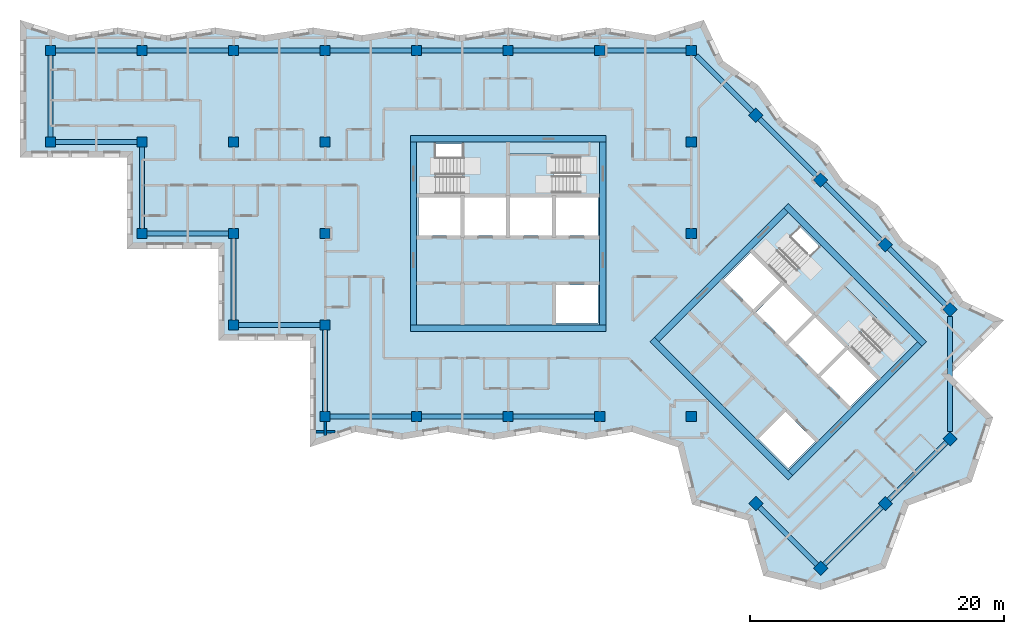
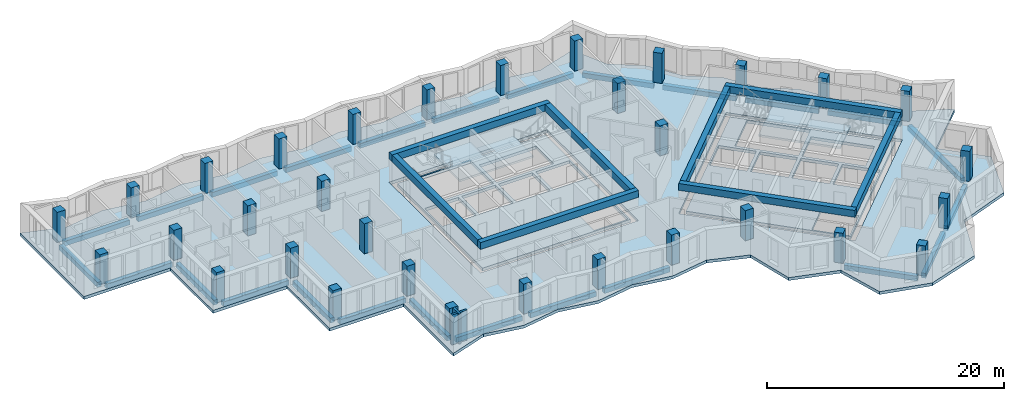
# One storey, part 1 of 13: 33 beams, 32 columns, 7 slabs, 2 walls, 16 openings, 4 elements without a shape of their own.
"""IFC4 building model written with IfcOpenShell, lengths in metres."""

from ifc_helpers import new_model, si_unit, direction, frame, frame_2d, origin, origin_2d, place, context, subcontext, project, spatial, polyline, rectangle, outline, extrude, material, layer, layer_set, material_profile, profile_set, type_object, element, aggregate, save


model = new_model("IFC4")

# Units and contexts
model_context = context("Model", 3, precision=1e-05, world=origin(), true_north=direction((0.0, 1.0)))
body_context = subcontext(model_context, "Body", "Model", "MODEL_VIEW")
ifc_project = project(units=[si_unit("LENGTHUNIT", "METRE"), si_unit("AREAUNIT", "SQUARE_METRE"), si_unit("VOLUMEUNIT", "CUBIC_METRE"), si_unit("PLANEANGLEUNIT", "RADIAN"), si_unit("MASSUNIT", "GRAM", prefix="KILO")], contexts=[model_context])

# Site, building, storey
site_placement = place(None, origin())
site = spatial("IfcSite", under=ifc_project, at=site_placement, CompositionType="ELEMENT")
building_placement = place(site_placement, origin())
building = spatial("IfcBuilding", under=site, at=building_placement, Name="Windrow Commons", CompositionType="ELEMENT")
storey_placement = place(building_placement, frame((0.0, 0.0, 223.6)))
storey = spatial("IfcBuildingStorey", under=building, at=storey_placement, Name="L61", CompositionType="ELEMENT", Elevation=223.6)

# Columns
ifc_material_1 = material(Name="Concrete C50/60", Category="concrete")
ifc_material_profile_1 = material_profile(ifc_material_1, rectangle(XDim=0.8, YDim=0.8, at=origin_2d()))
ifc_profile_set_1 = profile_set([ifc_material_profile_1], Name="Concrete C50/60")
column_type = type_object("IfcColumnType", Name="RC COLUMN 800x800 C50/60", PredefinedType="COLUMN", material=ifc_profile_set_1)
for number, where, z_axis, x_axis, name in (
    (1, (28.8, 64.8, 0.0), (0.0, 0.0, 1.0), (1.0, 0.0, 0.0), "C-Z4-05I"),
    (2, (28.8, 72.0, 0.0), (0.0, 0.0, 1.0), (1.0, 0.0, 0.0), "C-Z4-05J"),
    (3, (36.0, 57.6, 0.0), (0.0, 0.0, 1.0), (1.0, 0.0, 0.0), "C-Z4-06H"),
    (4, (36.0, 64.8, 0.0), (0.0, 0.0, 1.0), (1.0, 0.0, 0.0), "C-Z4-06I"),
    (5, (36.0, 72.0, 0.0), (0.0, 0.0, 1.0), (1.0, 0.0, 0.0), "C-Z4-06J"),
    (6, (43.2, 50.4, 0.0), (0.0, 0.0, 1.0), (1.0, 0.0, 0.0), "C-Z4-07G"),
    (7, (43.2, 57.6, 0.0), (0.0, 0.0, 1.0), (1.0, 0.0, 0.0), "C-Z4-07H"),
    (8, (43.2, 64.8, 0.0), (0.0, 0.0, 1.0), (1.0, 0.0, 0.0), "C-Z4-07I"),
    (9, (43.2, 72.0, 0.0), (0.0, 0.0, 1.0), (1.0, 0.0, 0.0), "C-Z4-07J"),
    (10, (50.4, 43.2, 0.0), (0.0, 0.0, 1.0), (1.0, 0.0, 0.0), "C-Z4-08F"),
    (11, (50.4, 50.4, 0.0), (0.0, 0.0, 1.0), (1.0, 0.0, 0.0), "C-Z4-08G"),
    (12, (50.4, 57.6, 0.0), (0.0, 0.0, 1.0), (1.0, 0.0, 0.0), "C-Z4-08H"),
    (13, (50.4, 64.8, 0.0), (0.0, 0.0, 1.0), (1.0, 0.0, 0.0), "C-Z4-08I"),
    (14, (50.4, 72.0, 0.0), (0.0, 0.0, 1.0), (1.0, 0.0, 0.0), "C-Z4-08J"),
    (15, (57.6, 43.2, 0.0), (0.0, 0.0, 1.0), (1.0, 0.0, 0.0), "C-Z4-09F"),
    (16, (57.6, 72.0, 0.0), (0.0, 0.0, 1.0), (1.0, 0.0, 0.0), "C-Z4-09J"),
    (17, (64.8, 43.2, 0.0), (0.0, 0.0, 1.0), (1.0, 0.0, 0.0), "C-Z4-10F"),
    (18, (64.8, 72.0, 0.0), (0.0, 0.0, 1.0), (1.0, 0.0, 0.0), "C-Z4-10J"),
    (19, (72.0, 43.2, 0.0), (0.0, 0.0, 1.0), (1.0, 0.0, 0.0), "C-Z4-11F"),
    (20, (72.0, 72.0, 0.0), (0.0, 0.0, 1.0), (1.0, 0.0, 0.0), "C-Z4-11J"),
    (21, (79.2, 43.2, 0.0), (0.0, 0.0, 1.0), (1.0, 0.0, 0.0), "C-Z4-12F"),
    (22, (79.2, 57.6, 0.0), (0.0, 0.0, 1.0), (1.0, 0.0, 0.0), "C-Z4-12H"),
    (23, (79.2, 64.8, 0.0), (0.0, 0.0, 1.0), (1.0, 0.0, 0.0), "C-Z4-12I"),
    (24, (79.2, 72.0, 0.0), (0.0, 0.0, 1.0), (1.0, 0.0, 0.0), "C-Z4-12J"),
    (25, (84.2912, 66.9088, 0.0), (0.0, 0.0, 1.0), (0.7071067812, -0.7071067812, 0.0), "C-Z4-P2Q"),
    (26, (89.3823, 61.8177, 0.0), (0.0, 0.0, 1.0), (0.7071067812, -0.7071067812, 0.0), "C-Z4-P3Q"),
    (27, (94.4735, 56.7265, 0.0), (0.0, 0.0, 1.0), (0.7071067812, -0.7071067812, 0.0), "C-Z4-P4Q"),
    (28, (99.5647, 51.6353, 0.0), (0.0, 0.0, 1.0), (0.7071067812, -0.7071067812, 0.0), "C-Z4-P5Q"),
    (29, (84.2912, 36.3618, 0.0), (0.0, 0.0, 1.0), (0.7071067812, -0.7071067812, 0.0), "C-Z4-P5T"),
    (30, (99.5647, 41.453, 0.0), (0.0, 0.0, 1.0), (0.7071067812, -0.7071067812, 0.0), "C-Z4-P6R"),
    (31, (94.4735, 36.3618, 0.0), (0.0, 0.0, 1.0), (0.7071067812, -0.7071067812, 0.0), "C-Z4-P6S"),
    (32, (89.3823, 31.2706, 0.0), (0.0, 0.0, 1.0), (0.7071067812, -0.7071067812, 0.0), "C-Z4-P6T"),
):
    element("IfcColumn", number, at=place(storey_placement, frame(where, z_axis=z_axis, x_axis=x_axis)), inside=storey, type_object=column_type, Name=name, PredefinedType="COLUMN", context=body_context, shape_type="SweptSolid", body=[
        extrude(rectangle(XDim=0.8, YDim=0.8, at=origin_2d()), origin(), (0.0, 0.0, 1.0), 3.1),
    ])

# Beams
ifc_material_2 = material(Name="Concrete C40/50", Category="concrete")
ifc_material_profile_2 = material_profile(ifc_material_2, rectangle(XDim=0.5, YDim=0.7, at=origin_2d()))
ifc_profile_set_2 = profile_set([ifc_material_profile_2], Name="Concrete C40/50")
beam_type_1 = type_object("IfcBeamType", Name="RC COUPLING BEAM 500x700 C40/50", PredefinedType="LINTEL", material=ifc_profile_set_2)
for number, where, z_axis, x_axis, name in (
    (33, (57.1, 50.15, 2.75), (1.0, 0.0, 0.0), (0.0, 1.0, 0.0), "Core A coupling beam outer-S"),
    (34, (57.1, 65.05, 2.75), (1.0, 0.0, 0.0), (0.0, 1.0, 0.0), "Core A coupling beam outer-N"),
):
    element("IfcBeam", number, at=place(storey_placement, frame(where, z_axis=z_axis, x_axis=x_axis)), inside=storey, type_object=beam_type_1, Name=name, PredefinedType="LINTEL", context=body_context, shape_type="SweptSolid", body=[
        extrude(rectangle(XDim=0.5, YDim=0.7, at=origin_2d()), origin(), (0.0, 0.0, 1.0), 15.4),
    ])
for number, where, z_axis, x_axis, name in (
    (35, (57.35, 50.4, 2.75), (0.0, 1.0, 0.0), (-1.0, 0.0, 0.0), "Core A coupling beam outer-W"),
    (36, (72.25, 50.4, 2.75), (0.0, 1.0, 0.0), (-1.0, 0.0, 0.0), "Core A coupling beam outer-E"),
):
    element("IfcBeam", number, at=place(storey_placement, frame(where, z_axis=z_axis, x_axis=x_axis)), inside=storey, type_object=beam_type_1, Name=name, PredefinedType="LINTEL", context=body_context, shape_type="SweptSolid", body=[
        extrude(rectangle(XDim=0.5, YDim=0.7, at=origin_2d()), origin(), (0.0, 0.0, 1.0), 14.4),
    ])
for number, where, z_axis, x_axis, name in (
    (37, (76.1241, 49.2665, 2.75), (0.7071067812, -0.7071067812, 0.0), (0.7071067812, 0.7071067812, 0.0), "Core B coupling beam outer-S"),
    (38, (86.66, 59.8024, 2.75), (0.7071067812, -0.7071067812, 0.0), (0.7071067812, 0.7071067812, 0.0), "Core B coupling beam outer-N"),
):
    element("IfcBeam", number, at=place(storey_placement, frame(where, z_axis=z_axis, x_axis=x_axis)), inside=storey, type_object=beam_type_1, Name=name, PredefinedType="LINTEL", context=body_context, shape_type="SweptSolid", body=[
        extrude(rectangle(XDim=0.5, YDim=0.7, at=origin_2d()), origin(), (0.0, 0.0, 1.0), 15.3999),
    ])
for number, where, z_axis, x_axis, name in (
    (39, (76.4776, 49.2665, 2.75), (0.7071067812, 0.7071067812, 0.0), (-0.7071067812, 0.7071067812, 0.0), "Core B coupling beam outer-W"),
    (40, (87.0135, 38.7306, 2.75), (0.7071067812, 0.7071067812, 0.0), (-0.7071067812, 0.7071067812, 0.0), "Core B coupling beam outer-E"),
):
    element("IfcBeam", number, at=place(storey_placement, frame(where, z_axis=z_axis, x_axis=x_axis)), inside=storey, type_object=beam_type_1, Name=name, PredefinedType="LINTEL", context=body_context, shape_type="SweptSolid", body=[
        extrude(rectangle(XDim=0.5, YDim=0.7, at=origin_2d()), origin(), (0.0, 0.0, 1.0), 14.4001),
    ])
ifc_material_3 = material(Name="Concrete C40/50", Category="concrete")
ifc_material_profile_3 = material_profile(ifc_material_3, rectangle(XDim=0.4, YDim=0.5, at=origin_2d()))
ifc_profile_set_3 = profile_set([ifc_material_profile_3], Name="Concrete C40/50")
beam_type_2 = type_object("IfcBeamType", Name="RC EDGE BEAM 400x500 C40/50", PredefinedType="SPANDREL", material=ifc_profile_set_3)
for number, where, z_axis, x_axis, name in (
    (41, (57.2, 43.2, -0.55), (-1.0, 0.0, 0.0), (0.0, -1.0, 0.0), "Edge beam L61 001"),
    (42, (50.4, 43.6, -0.55), (0.0, 1.0, 0.0), (-1.0, 0.0, 0.0), "Edge beam L61 002"),
    (43, (50.0, 50.4, -0.55), (-1.0, 0.0, 0.0), (0.0, -1.0, 0.0), "Edge beam L61 003"),
    (44, (43.2, 50.8, -0.55), (0.0, 1.0, 0.0), (-1.0, 0.0, 0.0), "Edge beam L61 004"),
    (45, (42.8, 57.6, -0.55), (-1.0, 0.0, 0.0), (0.0, -1.0, 0.0), "Edge beam L61 005"),
    (46, (36.0, 58.0, -0.55), (0.0, 1.0, 0.0), (-1.0, 0.0, 0.0), "Edge beam L61 006"),
    (47, (35.6, 64.8, -0.55), (-1.0, 0.0, 0.0), (0.0, -1.0, 0.0), "Edge beam L61 007"),
    (48, (28.8, 65.2, -0.55), (0.0, 1.0, 0.0), (-1.0, 0.0, 0.0), "Edge beam L61 008"),
    (49, (29.2, 72.0, -0.55), (1.0, 0.0, 0.0), (0.0, 1.0, 0.0), "Edge beam L61 009"),
    (50, (36.4, 72.0, -0.55), (1.0, 0.0, 0.0), (0.0, 1.0, 0.0), "Edge beam L61 010"),
    (51, (43.6, 72.0, -0.55), (1.0, 0.0, 0.0), (0.0, 1.0, 0.0), "Edge beam L61 011"),
    (52, (50.8, 72.0, -0.55), (1.0, 0.0, 0.0), (0.0, 1.0, 0.0), "Edge beam L61 012"),
    (53, (58.0, 72.0, -0.55), (1.0, 0.0, 0.0), (0.0, 1.0, 0.0), "Edge beam L61 013"),
    (54, (65.2, 72.0, -0.55), (1.0, 0.0, 0.0), (0.0, 1.0, 0.0), "Edge beam L61 014"),
    (55, (72.4, 72.0, -0.55), (1.0, 0.0, 0.0), (0.0, 1.0, 0.0), "Edge beam L61 015"),
):
    element("IfcBeam", number, at=place(storey_placement, frame(where, z_axis=z_axis, x_axis=x_axis)), inside=storey, type_object=beam_type_2, Name=name, PredefinedType="SPANDREL", context=body_context, shape_type="SweptSolid", body=[
        extrude(rectangle(XDim=0.4, YDim=0.5, at=origin_2d()), origin(), (0.0, 0.0, 1.0), 6.4),
    ])
beam_1_placement = place(storey_placement, frame((79.6, 71.6, -0.55), z_axis=(0.7071067812, -0.7071067812, 0.0), x_axis=(0.7071067812, 0.7071067812, 0.0)))
element("IfcBeam", 56, at=beam_1_placement, inside=storey, type_object=beam_type_2, Name="Edge beam L61 016", PredefinedType="SPANDREL", context=body_context, shape_type="SweptSolid", body=[
    extrude(rectangle(XDim=0.4, YDim=0.5, at=origin_2d()), origin(), (0.0, 0.0, 1.0), 6.2344),
])
beam_2_placement = place(storey_placement, frame((84.574, 66.626, -0.55), z_axis=(0.7071067812, -0.7071067812, 0.0), x_axis=(0.7071067812, 0.7071067812, 0.0)))
element("IfcBeam", 57, at=beam_2_placement, inside=storey, type_object=beam_type_2, Name="Edge beam L61 017", PredefinedType="SPANDREL", context=body_context, shape_type="SweptSolid", body=[
    extrude(rectangle(XDim=0.4, YDim=0.5, at=origin_2d()), origin(), (0.0, 0.0, 1.0), 6.4),
])
for number, where, z_axis, x_axis, name in (
    (58, (89.6651, 61.5349, -0.55), (0.7071067812, -0.7071067812, 0.0), (0.7071067812, 0.7071067812, 0.0), "Edge beam L61 018"),
    (59, (94.7563, 56.4437, -0.55), (0.7071067812, -0.7071067812, 0.0), (0.7071067812, 0.7071067812, 0.0), "Edge beam L61 019"),
):
    element("IfcBeam", number, at=place(storey_placement, frame(where, z_axis=z_axis, x_axis=x_axis)), inside=storey, type_object=beam_type_2, Name=name, PredefinedType="SPANDREL", context=body_context, shape_type="SweptSolid", body=[
        extrude(rectangle(XDim=0.4, YDim=0.5, at=origin_2d()), origin(), (0.0, 0.0, 1.0), 6.4002),
    ])
beam_3_placement = place(storey_placement, frame((99.5647, 51.0696, -0.55), z_axis=(0.0, -1.0, 0.0), x_axis=(1.0, 0.0, 0.0)))
element("IfcBeam", 60, at=beam_3_placement, inside=storey, type_object=beam_type_2, Name="Edge beam L61 020", PredefinedType="SPANDREL", context=body_context, shape_type="SweptSolid", body=[
    extrude(rectangle(XDim=0.4, YDim=0.5, at=origin_2d()), origin(), (0.0, 0.0, 1.0), 9.0509),
])
for number, where, z_axis, x_axis, name in (
    (61, (99.2819, 41.1702, -0.55), (-0.7071067812, -0.7071067812, 0.0), (0.7071067812, -0.7071067812, 0.0), "Edge beam L61 021"),
    (62, (94.1907, 36.079, -0.55), (-0.7071067812, -0.7071067812, 0.0), (0.7071067812, -0.7071067812, 0.0), "Edge beam L61 022"),
):
    element("IfcBeam", number, at=place(storey_placement, frame(where, z_axis=z_axis, x_axis=x_axis)), inside=storey, type_object=beam_type_2, Name=name, PredefinedType="SPANDREL", context=body_context, shape_type="SweptSolid", body=[
        extrude(rectangle(XDim=0.4, YDim=0.5, at=origin_2d()), origin(), (0.0, 0.0, 1.0), 6.4002),
    ])
beam_4_placement = place(storey_placement, frame((89.0995, 31.5534, -0.55), z_axis=(-0.7070989688, 0.7071145935, 0.0), x_axis=(-0.7071145935, -0.7070989688, 0.0)))
element("IfcBeam", 63, at=beam_4_placement, inside=storey, type_object=beam_type_2, Name="Edge beam L61 023", PredefinedType="SPANDREL", context=body_context, shape_type="SweptSolid", body=[
    extrude(rectangle(XDim=0.4, YDim=0.5, at=origin_2d()), origin(), (0.0, 0.0, 1.0), 6.4001),
])
for number, where, z_axis, x_axis, name in (
    (64, (71.6, 43.2, -0.55), (-1.0, 0.0, 0.0), (0.0, -1.0, 0.0), "Edge beam L61 024"),
    (65, (64.4, 43.2, -0.55), (-1.0, 0.0, 0.0), (0.0, -1.0, 0.0), "Edge beam L61 025"),
):
    element("IfcBeam", number, at=place(storey_placement, frame(where, z_axis=z_axis, x_axis=x_axis)), inside=storey, type_object=beam_type_2, Name=name, PredefinedType="SPANDREL", context=body_context, shape_type="SweptSolid", body=[
        extrude(rectangle(XDim=0.4, YDim=0.5, at=origin_2d()), origin(), (0.0, 0.0, 1.0), 6.4),
    ])

# Slab, openings
ifc_material_4 = material(Name="Concrete C40/50", Category="concrete")
ifc_layer_1 = layer(ifc_material_4, 0.3)
ifc_layer_set_1 = layer_set([ifc_layer_1], Name="CORE FLOOR SLAB 300 C40/50")
slab_type_1 = type_object("IfcSlabType", Name="CORE FLOOR SLAB 300 C40/50", PredefinedType="FLOOR", material=ifc_layer_set_1)
placement_1 = place(storey_placement, frame((0.0, 0.0, -0.3)))
slab_1 = element("IfcSlab", 66, at=placement_1, inside=storey, type_object=slab_type_1, Name="S-L61-core-A", PredefinedType="FLOOR", context=body_context, shape_type="SweptSolid", body=[
    extrude(outline(polyline([(57.6, 50.4), (72.0, 50.4), (72.0, 64.8), (57.6, 64.8), (57.6, 50.4)]), holes=[polyline([(68.55, 50.55), (71.85, 50.55), (71.85, 53.55), (68.55, 53.55), (68.55, 50.55)]), polyline([(57.75, 57.45), (61.05, 57.45), (61.05, 60.45), (57.75, 60.45), (57.75, 57.45)]), polyline([(61.35, 57.45), (64.65, 57.45), (64.65, 60.45), (61.35, 60.45), (61.35, 57.45)]), polyline([(64.95, 57.45), (68.25, 57.45), (68.25, 60.45), (64.95, 60.45), (64.95, 57.45)]), polyline([(68.55, 57.45), (71.85, 57.45), (71.85, 60.45), (68.55, 60.45), (68.55, 57.45)]), polyline([(59.1, 60.75), (64.65, 60.75), (64.65, 64.65), (59.1, 64.65), (59.1, 60.75)]), polyline([(64.95, 60.75), (70.5, 60.75), (70.5, 63.705), (64.95, 63.705), (64.95, 60.75)])]), origin(), (0.0, 0.0, 1.0), 0.3),
])
opening_1_placement = place(placement_1, origin())
element("IfcOpeningElement", 67, at=opening_1_placement, cuts=slab_1, Name="Slab opening S-L61-core-A 1", PredefinedType="OPENING", context=body_context, shape_type="SweptSolid", body=[
    extrude(outline(polyline([(68.555, 50.555), (68.555, 53.545), (71.845, 53.545), (71.845, 50.555), (68.555, 50.555)])), origin(), (0.0, 0.0, 1.0), 0.3),
])
opening_2_placement = place(placement_1, origin())
element("IfcOpeningElement", 68, at=opening_2_placement, cuts=slab_1, Name="Slab opening S-L61-core-A 2", PredefinedType="OPENING", context=body_context, shape_type="SweptSolid", body=[
    extrude(outline(polyline([(57.755, 57.455), (57.755, 60.445), (61.045, 60.445), (61.045, 57.455), (57.755, 57.455)])), origin(), (0.0, 0.0, 1.0), 0.3),
])
opening_3_placement = place(placement_1, origin())
element("IfcOpeningElement", 69, at=opening_3_placement, cuts=slab_1, Name="Slab opening S-L61-core-A 3", PredefinedType="OPENING", context=body_context, shape_type="SweptSolid", body=[
    extrude(outline(polyline([(61.355, 57.455), (61.355, 60.445), (64.645, 60.445), (64.645, 57.455), (61.355, 57.455)])), origin(), (0.0, 0.0, 1.0), 0.3),
])
opening_4_placement = place(placement_1, origin())
element("IfcOpeningElement", 70, at=opening_4_placement, cuts=slab_1, Name="Slab opening S-L61-core-A 4", PredefinedType="OPENING", context=body_context, shape_type="SweptSolid", body=[
    extrude(outline(polyline([(64.955, 57.455), (64.955, 60.445), (68.245, 60.445), (68.245, 57.455), (64.955, 57.455)])), origin(), (0.0, 0.0, 1.0), 0.3),
])
opening_5_placement = place(placement_1, origin())
element("IfcOpeningElement", 71, at=opening_5_placement, cuts=slab_1, Name="Slab opening S-L61-core-A 5", PredefinedType="OPENING", context=body_context, shape_type="SweptSolid", body=[
    extrude(outline(polyline([(68.555, 57.455), (68.555, 60.445), (71.845, 60.445), (71.845, 57.455), (68.555, 57.455)])), origin(), (0.0, 0.0, 1.0), 0.3),
])
opening_6_placement = place(placement_1, origin())
element("IfcOpeningElement", 72, at=opening_6_placement, cuts=slab_1, Name="Slab opening S-L61-core-A 6", PredefinedType="OPENING", context=body_context, shape_type="SweptSolid", body=[
    extrude(outline(polyline([(59.105, 60.755), (59.105, 64.645), (64.645, 64.645), (64.645, 60.755), (59.105, 60.755)])), origin(), (0.0, 0.0, 1.0), 0.3),
])
opening_7_placement = place(placement_1, origin())
element("IfcOpeningElement", 73, at=opening_7_placement, cuts=slab_1, Name="Slab opening S-L61-core-A 7", PredefinedType="OPENING", context=body_context, shape_type="SweptSolid", body=[
    extrude(outline(polyline([(64.955, 60.755), (64.955, 63.7), (70.495, 63.7), (70.495, 60.755), (64.955, 60.755)])), origin(), (0.0, 0.0, 1.0), 0.3),
])

slab_2 = element("IfcSlab", 74, at=placement_1, inside=storey, type_object=slab_type_1, Name="S-L61-core-B", PredefinedType="FLOOR", context=body_context, shape_type="SweptSolid", body=[
    extrude(outline(polyline([(76.6544, 49.0897), (86.8368, 38.9074), (97.0191, 49.0897), (86.8368, 59.2721), (76.6544, 49.0897)]), holes=[polyline([(84.5033, 41.453), (86.8368, 39.1195), (88.9581, 41.2409), (86.6246, 43.5743), (84.5033, 41.453)]), polyline([(81.7456, 53.9688), (84.079, 51.6353), (86.2004, 53.7566), (83.8669, 56.0901), (81.7456, 53.9688)]), polyline([(84.2912, 51.4232), (86.6246, 49.0897), (88.7459, 51.2111), (86.4125, 53.5445), (84.2912, 51.4232)]), polyline([(86.8368, 48.8776), (89.1702, 46.5442), (91.2915, 48.6655), (88.9581, 50.9989), (86.8368, 48.8776)]), polyline([(89.3823, 46.332), (91.7158, 43.9986), (93.8371, 46.1199), (91.5037, 48.4533), (89.3823, 46.332)]), polyline([(85.0336, 55.3476), (88.9581, 51.4232), (91.7158, 54.1809), (87.7913, 58.1054), (85.0336, 55.3476)]), polyline([(89.1702, 51.2111), (93.0946, 47.2866), (95.1841, 49.3761), (91.2597, 53.3006), (89.1702, 51.2111)])]), origin(), (0.0, 0.0, 1.0), 0.3),
])
opening_8_placement = place(placement_1, origin())
element("IfcOpeningElement", 75, at=opening_8_placement, cuts=slab_2, Name="Slab opening S-L61-core-B 1", PredefinedType="OPENING", context=body_context, shape_type="SweptSolid", body=[
    extrude(outline(polyline([(84.5104, 41.453), (86.6246, 43.5672), (88.951, 41.2409), (86.8368, 39.1266), (84.5104, 41.453)])), origin(), (0.0, 0.0, 1.0), 0.3),
])
opening_9_placement = place(placement_1, origin())
element("IfcOpeningElement", 76, at=opening_9_placement, cuts=slab_2, Name="Slab opening S-L61-core-B 2", PredefinedType="OPENING", context=body_context, shape_type="SweptSolid", body=[
    extrude(outline(polyline([(81.7527, 53.9688), (83.8669, 56.083), (86.1933, 53.7566), (84.079, 51.6424), (81.7527, 53.9688)])), origin(), (0.0, 0.0, 1.0), 0.3),
])
opening_10_placement = place(placement_1, origin())
element("IfcOpeningElement", 77, at=opening_10_placement, cuts=slab_2, Name="Slab opening S-L61-core-B 3", PredefinedType="OPENING", context=body_context, shape_type="SweptSolid", body=[
    extrude(outline(polyline([(84.2983, 51.4232), (86.4125, 53.5374), (88.7388, 51.2111), (86.6246, 49.0968), (84.2983, 51.4232)])), origin(), (0.0, 0.0, 1.0), 0.3),
])
opening_11_placement = place(placement_1, origin())
element("IfcOpeningElement", 78, at=opening_11_placement, cuts=slab_2, Name="Slab opening S-L61-core-B 4", PredefinedType="OPENING", context=body_context, shape_type="SweptSolid", body=[
    extrude(outline(polyline([(86.8439, 48.8776), (88.9581, 50.9918), (91.2844, 48.6655), (89.1702, 46.5513), (86.8439, 48.8776)])), origin(), (0.0, 0.0, 1.0), 0.3),
])
opening_12_placement = place(placement_1, origin())
element("IfcOpeningElement", 79, at=opening_12_placement, cuts=slab_2, Name="Slab opening S-L61-core-B 5", PredefinedType="OPENING", context=body_context, shape_type="SweptSolid", body=[
    extrude(outline(polyline([(89.3894, 46.332), (91.5037, 48.4462), (93.83, 46.1199), (91.7158, 44.0057), (89.3894, 46.332)])), origin(), (0.0, 0.0, 1.0), 0.3),
])
opening_13_placement = place(placement_1, origin())
element("IfcOpeningElement", 80, at=opening_13_placement, cuts=slab_2, Name="Slab opening S-L61-core-B 6", PredefinedType="OPENING", context=body_context, shape_type="SweptSolid", body=[
    extrude(outline(polyline([(85.0407, 55.3476), (87.7913, 58.0983), (91.7087, 54.1809), (88.9581, 51.4303), (85.0407, 55.3476)])), origin(), (0.0, 0.0, 1.0), 0.3),
])
opening_14_placement = place(placement_1, origin())
element("IfcOpeningElement", 81, at=opening_14_placement, cuts=slab_2, Name="Slab opening S-L61-core-B 7", PredefinedType="OPENING", context=body_context, shape_type="SweptSolid", body=[
    extrude(outline(polyline([(89.1773, 51.2111), (91.2597, 53.2935), (95.177, 49.3761), (93.0946, 47.2937), (89.1773, 51.2111)])), origin(), (0.0, 0.0, 1.0), 0.3),
])

# Stair, slab
ifc_material_5 = material(Name="Concrete C40/50", Category="concrete")
stair_type = type_object("IfcStairType", Name="Core stair", PredefinedType="HALF_TURN_STAIR", material=ifc_material_5)
placement_2 = place(storey_placement, origin())
stair_1 = element("IfcStair", 82, at=placement_2, inside=storey, type_object=stair_type, Name="L61 Exit stair A1 core A", PredefinedType="HALF_TURN_STAIR")
ifc_material_6 = material(Name="Concrete C40/50", Category="concrete")
ifc_layer_2 = layer(ifc_material_6, 0.2)
ifc_layer_set_2 = layer_set([ifc_layer_2], Name="Core stair landing")
slab_type_2 = type_object("IfcSlabType", Name="Core stair landing", PredefinedType="LANDING", material=ifc_layer_set_2)
placement_3 = place(storey_placement, frame((0.0, 0.0, 1.5)))
slab_3 = element("IfcSlab", 83, at=placement_3, type_object=slab_type_2, Name="ST-A1 landing 1", PredefinedType="LANDING", context=body_context, shape_type="SweptSolid", body=[
    extrude(outline(polyline([(61.22, 60.5), (64.8, 60.5), (64.8, 64.9), (61.22, 64.9), (61.22, 60.5)])), origin(), (0.0, 0.0, 1.0), 0.2),
])
aggregate(stair_1, [slab_3])

stair_2 = element("IfcStair", 84, at=placement_2, inside=storey, type_object=stair_type, Name="L61 Exit stair A2 core A", PredefinedType="HALF_TURN_STAIR")
slab_4 = element("IfcSlab", 85, at=placement_3, type_object=slab_type_2, Name="ST-A2 landing 1", PredefinedType="LANDING", context=body_context, shape_type="SweptSolid", body=[
    extrude(outline(polyline([(64.8, 60.5), (68.38, 60.5), (68.38, 63.855), (64.8, 63.855), (64.8, 60.5)])), origin(), (0.0, 0.0, 1.0), 0.2),
])
aggregate(stair_2, [slab_4])

stair_3 = element("IfcStair", 86, at=placement_2, inside=storey, type_object=stair_type, Name="L61 Exit stair B1 core B", PredefinedType="HALF_TURN_STAIR")
slab_5 = element("IfcSlab", 87, at=placement_3, type_object=slab_type_2, Name="ST-B1 landing 1", PredefinedType="LANDING", context=body_context, shape_type="SweptSolid", body=[
    extrude(outline(polyline([(86.3559, 53.6718), (88.8874, 51.1403), (91.9986, 54.2516), (89.4672, 56.7831), (86.3559, 53.6718)])), origin(), (0.0, 0.0, 1.0), 0.2),
])
aggregate(stair_3, [slab_5])

stair_4 = element("IfcStair", 88, at=placement_2, inside=storey, type_object=stair_type, Name="L61 Exit stair B2 core B", PredefinedType="HALF_TURN_STAIR")
slab_6 = element("IfcSlab", 89, at=placement_3, type_object=slab_type_2, Name="ST-B2 landing 1", PredefinedType="LANDING", context=body_context, shape_type="SweptSolid", body=[
    extrude(outline(polyline([(88.8874, 51.1403), (91.4188, 48.6089), (93.7911, 50.9812), (91.2597, 53.5127), (88.8874, 51.1403)])), origin(), (0.0, 0.0, 1.0), 0.2),
])
aggregate(stair_4, [slab_6])

# Slab, openings
ifc_material_7 = material(Name="Concrete C40/50", Category="concrete")
ifc_layer_3 = layer(ifc_material_7, 0.3)
ifc_layer_set_3 = layer_set([ifc_layer_3], Name="FLOOR SLAB 300 C40/50")
slab_type_3 = type_object("IfcSlabType", Name="FLOOR SLAB 300 C40/50", PredefinedType="FLOOR", material=ifc_layer_set_3)
slab_7 = element("IfcSlab", 90, at=placement_1, inside=storey, type_object=slab_type_3, Name="S-L61-floor", PredefinedType="FLOOR", context=body_context, shape_type="SweptSolid", body=[
    extrude(outline(polyline([(84.8794, 30.6824), (89.3823, 29.5736), (94.4735, 31.2706), (96.312, 36.2204), (101.2617, 38.0588), (102.9588, 43.15), (99.5647, 46.5442), (103.8094, 50.7889), (100.5974, 52.2997), (98.6624, 55.0875), (95.8746, 57.0225), (93.9396, 59.8103), (91.1518, 61.7453), (89.2168, 64.5331), (86.429, 66.4681), (84.4939, 69.2559), (81.7062, 71.1909), (80.1954, 74.403), (76.3527, 73.2), (72.5099, 73.803), (68.6672, 73.2), (64.8244, 73.803), (60.9817, 73.2), (57.1389, 73.803), (53.2962, 73.2), (49.4535, 73.803), (45.6107, 73.2), (41.768, 73.803), (37.9252, 73.2), (34.0825, 73.803), (30.2397, 73.2), (26.397, 74.403), (26.397, 63.6), (34.8, 63.6), (34.8, 56.4), (42.0, 56.4), (42.0, 49.2), (49.2, 49.2), (49.2, 40.797), (52.8199, 42.0), (56.4397, 41.397), (60.0596, 42.0), (63.6795, 41.397), (67.2993, 42.0), (70.9192, 41.397), (74.539, 42.0), (78.1589, 40.797), (79.2677, 36.2941), (83.6292, 35.0439), (84.8794, 30.6824)]), holes=[polyline([(75.9473, 49.0897), (86.8368, 59.9792), (97.7262, 49.0897), (86.8368, 38.2003), (75.9473, 49.0897)]), polyline([(57.1, 49.9), (57.1, 65.3), (72.5, 65.3), (72.5, 49.9), (57.1, 49.9)])]), origin(), (0.0, 0.0, 1.0), 0.3),
])
opening_15_placement = place(placement_1, origin())
element("IfcOpeningElement", 91, at=opening_15_placement, cuts=slab_7, Name="Slab opening S-L61-floor 1", PredefinedType="OPENING", context=body_context, shape_type="SweptSolid", body=[
    extrude(outline(polyline([(75.9544, 49.0897), (86.8368, 59.9721), (97.7191, 49.0897), (86.8368, 38.2074), (75.9544, 49.0897)])), origin(), (0.0, 0.0, 1.0), 0.3),
])
opening_16_placement = place(placement_1, origin())
element("IfcOpeningElement", 92, at=opening_16_placement, cuts=slab_7, Name="Slab opening S-L61-floor 2", PredefinedType="OPENING", context=body_context, shape_type="SweptSolid", body=[
    extrude(outline(polyline([(57.105, 49.905), (57.105, 65.295), (72.495, 65.295), (72.495, 49.905), (57.105, 49.905)])), origin(), (0.0, 0.0, 1.0), 0.3),
])

# Walls
ifc_material_8 = material(Name="Blockwork partition", Category="masonry")
ifc_layer_4 = layer(ifc_material_8, 0.2)
ifc_layer_set_4 = layer_set([ifc_layer_4], Name="IW-PARTY-200")
wall_type = type_object("IfcWallType", Name="IW-PARTY-200", PredefinedType="PARTITIONING", material=ifc_layer_set_4)
wall_1_placement = place(storey_placement, frame((49.7, 42.0, 0.0), z_axis=(0.0, 0.0, 1.0), x_axis=(1.0, 0.0, 0.0)))
element("IfcWall", 93, at=wall_1_placement, inside=storey, type_object=wall_type, Name="W-L61-W131", PredefinedType="PARTITIONING", context=body_context, shape_type="SweptSolid", body=[
    extrude(rectangle(XDim=1.4844, YDim=0.2, at=frame_2d((0.7422, 0.0))), origin(), (0.0, 0.0, 1.0), 3.1),
])
wall_2_placement = place(storey_placement, frame((50.4, 41.7227, 0.0), z_axis=(0.0, 0.0, 1.0), x_axis=(0.0, 1.0, 0.0)))
element("IfcWall", 94, at=wall_2_placement, inside=storey, type_object=wall_type, Name="W-L61-W147", PredefinedType="PARTITIONING", context=body_context, shape_type="SweptSolid", body=[
    extrude(rectangle(XDim=1.0773, YDim=0.2, at=frame_2d((0.5386, 0.0))), origin(), (0.0, 0.0, 1.0), 3.1),
])

save(model, "model.ifc")
